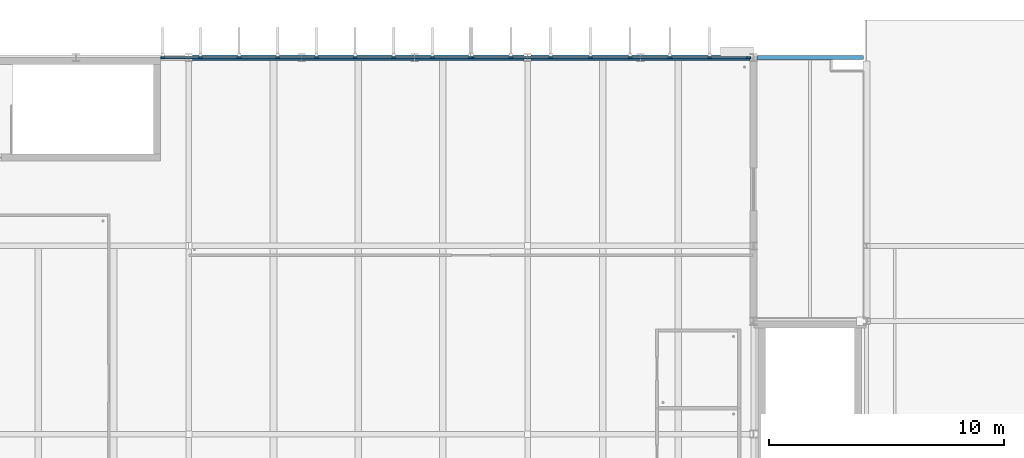
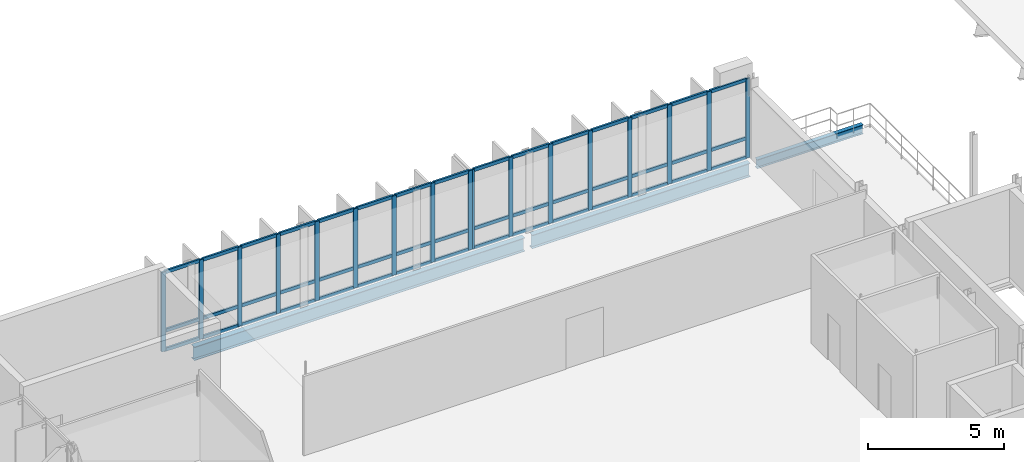
# One storey, part 11 of 22: 62 members, 3 beams, 2 elements without a shape of their own.
"""IFC4 building model written with IfcOpenShell, lengths in metres."""

from ifc_helpers import new_model, si_unit, direction, frame, origin, origin_2d, place, context, subcontext, project, spatial, rectangle, i_section, extrude, material, material_profile, profile_set, type_object, element, aggregate, save


model = new_model("IFC4")

# Units and contexts
model_context = context("Model", 3, precision=1e-05, world=origin(), true_north=direction((0.0, 1.0)))
body_context = subcontext(model_context, "Body", "Model", "MODEL_VIEW")
ifc_project = project(units=[si_unit("LENGTHUNIT", "METRE"), si_unit("AREAUNIT", "SQUARE_METRE"), si_unit("VOLUMEUNIT", "CUBIC_METRE"), si_unit("PLANEANGLEUNIT", "RADIAN"), si_unit("MASSUNIT", "GRAM", prefix="KILO")], contexts=[model_context])

# Site, building, storey
site_placement = place(None, origin())
site = spatial("IfcSite", under=ifc_project, at=site_placement, CompositionType="ELEMENT")
building_placement = place(site_placement, origin())
building = spatial("IfcBuilding", under=site, at=building_placement, Name="Dunescarp Central Library", CompositionType="ELEMENT")
storey_placement = place(building_placement, frame((0.0, 0.0, 27.60009765625)))
storey = spatial("IfcBuildingStorey", under=building, at=storey_placement, Name="L06", CompositionType="ELEMENT", Elevation=27.60009765625)

# Curtain wall, members
ifc_material_1 = material(Name="Marine-grade anodised aluminium 6063-T6", Category="aluminium")
curtain_wall_type = type_object("IfcCurtainWallType", Name="ARC-CW-STICK", PredefinedType="NOTDEFINED", material=ifc_material_1)
curtain_wall_1_placement = place(storey_placement, origin())
curtain_wall_1 = element("IfcCurtainWall", 1, at=curtain_wall_1_placement, inside=storey, type_object=curtain_wall_type, Name="L06 curtain wall CW-V1-040", PredefinedType="NOTDEFINED")
ifc_material_profile_1 = material_profile(ifc_material_1, rectangle(XDim=0.080078125, YDim=0.179931640625, at=origin_2d()), Name="AL 80x180")
ifc_profile_set_1 = profile_set([ifc_material_profile_1], Name="Marine-grade anodised aluminium 6063-T6")
member_type_1 = type_object("IfcMemberType", Name="ARC-CWM-180", PredefinedType="MULLION", material=ifc_profile_set_1)
member_1_placement = place(storey_placement, frame((21.639892578125, 36.800048828125, 0.0), z_axis=(0.0, 0.0, 1.0), x_axis=(0.0, 1.0, 0.0)))
member_1 = element("IfcMember", 2, at=member_1_placement, type_object=member_type_1, Name="CW-V1-040 mullion 1", PredefinedType="MULLION", context=body_context, shape_type="SweptSolid", body=[
    extrude(rectangle(XDim=0.080078125, YDim=0.179931640625, at=origin_2d()), origin(), (0.0, 0.0, 1.0), 3.574951171875),
])
member_2_placement = place(storey_placement, frame((23.289306640625, 36.800048828125, 0.0), z_axis=(0.0, 0.0, 1.0), x_axis=(0.0, 1.0, 0.0)))
member_2 = element("IfcMember", 3, at=member_2_placement, type_object=member_type_1, Name="CW-V1-040 mullion 2", PredefinedType="MULLION", context=body_context, shape_type="SweptSolid", body=[
    extrude(rectangle(XDim=0.080078125, YDim=0.179931640625, at=origin_2d()), origin(), (0.0, 0.0, 1.0), 3.574951171875),
])
member_3_placement = place(storey_placement, frame((24.978515625, 36.800048828125, 0.0), z_axis=(0.0, 0.0, 1.0), x_axis=(0.0, 1.0, 0.0)))
member_3 = element("IfcMember", 4, at=member_3_placement, type_object=member_type_1, Name="CW-V1-040 mullion 3", PredefinedType="MULLION", context=body_context, shape_type="SweptSolid", body=[
    extrude(rectangle(XDim=0.080078125, YDim=0.179931640625, at=origin_2d()), origin(), (0.0, 0.0, 1.0), 3.574951171875),
])
member_4_placement = place(storey_placement, frame((26.66796875, 36.800048828125, 0.0), z_axis=(0.0, 0.0, 1.0), x_axis=(0.0, 1.0, 0.0)))
member_4 = element("IfcMember", 5, at=member_4_placement, type_object=member_type_1, Name="CW-V1-040 mullion 4", PredefinedType="MULLION", context=body_context, shape_type="SweptSolid", body=[
    extrude(rectangle(XDim=0.080078125, YDim=0.179931640625, at=origin_2d()), origin(), (0.0, 0.0, 1.0), 3.574951171875),
])
member_5_placement = place(storey_placement, frame((28.357177734375, 36.800048828125, 0.0), z_axis=(0.0, 0.0, 1.0), x_axis=(0.0, 1.0, 0.0)))
member_5 = element("IfcMember", 6, at=member_5_placement, type_object=member_type_1, Name="CW-V1-040 mullion 5", PredefinedType="MULLION", context=body_context, shape_type="SweptSolid", body=[
    extrude(rectangle(XDim=0.080078125, YDim=0.179931640625, at=origin_2d()), origin(), (0.0, 0.0, 1.0), 3.574951171875),
])
member_6_placement = place(storey_placement, frame((30.04638671875, 36.800048828125, 0.0), z_axis=(0.0, 0.0, 1.0), x_axis=(0.0, 1.0, 0.0)))
member_6 = element("IfcMember", 7, at=member_6_placement, type_object=member_type_1, Name="CW-V1-040 mullion 6", PredefinedType="MULLION", context=body_context, shape_type="SweptSolid", body=[
    extrude(rectangle(XDim=0.080078125, YDim=0.179931640625, at=origin_2d()), origin(), (0.0, 0.0, 1.0), 3.574951171875),
])
member_7_placement = place(storey_placement, frame((31.735595703125, 36.800048828125, 0.0), z_axis=(0.0, 0.0, 1.0), x_axis=(0.0, 1.0, 0.0)))
member_7 = element("IfcMember", 8, at=member_7_placement, type_object=member_type_1, Name="CW-V1-040 mullion 7", PredefinedType="MULLION", context=body_context, shape_type="SweptSolid", body=[
    extrude(rectangle(XDim=0.080078125, YDim=0.179931640625, at=origin_2d()), origin(), (0.0, 0.0, 1.0), 3.574951171875),
])
member_8_placement = place(storey_placement, frame((33.385009765625, 36.800048828125, 0.0), z_axis=(0.0, 0.0, 1.0), x_axis=(0.0, 1.0, 0.0)))
member_8 = element("IfcMember", 9, at=member_8_placement, type_object=member_type_1, Name="CW-V1-040 mullion 8", PredefinedType="MULLION", context=body_context, shape_type="SweptSolid", body=[
    extrude(rectangle(XDim=0.080078125, YDim=0.179931640625, at=origin_2d()), origin(), (0.0, 0.0, 1.0), 3.574951171875),
])

curtain_wall_2_placement = place(storey_placement, origin())
curtain_wall_2 = element("IfcCurtainWall", 10, at=curtain_wall_2_placement, inside=storey, type_object=curtain_wall_type, Name="L06 curtain wall CW-V1-041", PredefinedType="NOTDEFINED")
member_9_placement = place(storey_placement, frame((8.489990234375, 36.800048828125, 0.0), z_axis=(0.0, 0.0, 1.0), x_axis=(0.0, 1.0, 0.0)))
member_9 = element("IfcMember", 11, at=member_9_placement, type_object=member_type_1, Name="CW-V1-041 mullion 1", PredefinedType="MULLION", context=body_context, shape_type="SweptSolid", body=[
    extrude(rectangle(XDim=0.080078125, YDim=0.179931640625, at=origin_2d()), origin(), (0.0, 0.0, 1.0), 3.574951171875),
])
member_10_placement = place(storey_placement, frame((10.09375, 36.800048828125, 0.0), z_axis=(0.0, 0.0, 1.0), x_axis=(0.0, 1.0, 0.0)))
member_10 = element("IfcMember", 12, at=member_10_placement, type_object=member_type_1, Name="CW-V1-041 mullion 2", PredefinedType="MULLION", context=body_context, shape_type="SweptSolid", body=[
    extrude(rectangle(XDim=0.080078125, YDim=0.179931640625, at=origin_2d()), origin(), (0.0, 0.0, 1.0), 3.574951171875),
])
member_11_placement = place(storey_placement, frame((11.737548828125, 36.800048828125, 0.0), z_axis=(0.0, 0.0, 1.0), x_axis=(0.0, 1.0, 0.0)))
member_11 = element("IfcMember", 13, at=member_11_placement, type_object=member_type_1, Name="CW-V1-041 mullion 3", PredefinedType="MULLION", context=body_context, shape_type="SweptSolid", body=[
    extrude(rectangle(XDim=0.080078125, YDim=0.179931640625, at=origin_2d()), origin(), (0.0, 0.0, 1.0), 3.574951171875),
])
member_12_placement = place(storey_placement, frame((13.38134765625, 36.800048828125, 0.0), z_axis=(0.0, 0.0, 1.0), x_axis=(0.0, 1.0, 0.0)))
member_12 = element("IfcMember", 14, at=member_12_placement, type_object=member_type_1, Name="CW-V1-041 mullion 4", PredefinedType="MULLION", context=body_context, shape_type="SweptSolid", body=[
    extrude(rectangle(XDim=0.080078125, YDim=0.179931640625, at=origin_2d()), origin(), (0.0, 0.0, 1.0), 3.574951171875),
])
member_13_placement = place(storey_placement, frame((15.02490234375, 36.800048828125, 0.0), z_axis=(0.0, 0.0, 1.0), x_axis=(0.0, 1.0, 0.0)))
member_13 = element("IfcMember", 15, at=member_13_placement, type_object=member_type_1, Name="CW-V1-041 mullion 5", PredefinedType="MULLION", context=body_context, shape_type="SweptSolid", body=[
    extrude(rectangle(XDim=0.080078125, YDim=0.179931640625, at=origin_2d()), origin(), (0.0, 0.0, 1.0), 3.574951171875),
])
member_14_placement = place(storey_placement, frame((16.668701171875, 36.800048828125, 0.0), z_axis=(0.0, 0.0, 1.0), x_axis=(0.0, 1.0, 0.0)))
member_14 = element("IfcMember", 16, at=member_14_placement, type_object=member_type_1, Name="CW-V1-041 mullion 6", PredefinedType="MULLION", context=body_context, shape_type="SweptSolid", body=[
    extrude(rectangle(XDim=0.080078125, YDim=0.179931640625, at=origin_2d()), origin(), (0.0, 0.0, 1.0), 3.574951171875),
])
member_15_placement = place(storey_placement, frame((18.3125, 36.800048828125, 0.0), z_axis=(0.0, 0.0, 1.0), x_axis=(0.0, 1.0, 0.0)))
member_15 = element("IfcMember", 17, at=member_15_placement, type_object=member_type_1, Name="CW-V1-041 mullion 7", PredefinedType="MULLION", context=body_context, shape_type="SweptSolid", body=[
    extrude(rectangle(XDim=0.080078125, YDim=0.179931640625, at=origin_2d()), origin(), (0.0, 0.0, 1.0), 3.574951171875),
])
member_16_placement = place(storey_placement, frame((19.956298828125, 36.800048828125, 0.0), z_axis=(0.0, 0.0, 1.0), x_axis=(0.0, 1.0, 0.0)))
member_16 = element("IfcMember", 18, at=member_16_placement, type_object=member_type_1, Name="CW-V1-041 mullion 8", PredefinedType="MULLION", context=body_context, shape_type="SweptSolid", body=[
    extrude(rectangle(XDim=0.080078125, YDim=0.179931640625, at=origin_2d()), origin(), (0.0, 0.0, 1.0), 3.574951171875),
])
member_17_placement = place(storey_placement, frame((21.56005859375, 36.800048828125, 0.0), z_axis=(0.0, 0.0, 1.0), x_axis=(0.0, 1.0, 0.0)))
member_17 = element("IfcMember", 19, at=member_17_placement, type_object=member_type_1, Name="CW-V1-041 mullion 9", PredefinedType="MULLION", context=body_context, shape_type="SweptSolid", body=[
    extrude(rectangle(XDim=0.080078125, YDim=0.179931640625, at=origin_2d()), origin(), (0.0, 0.0, 1.0), 3.574951171875),
])

# Member
ifc_material_profile_2 = material_profile(ifc_material_1, rectangle(XDim=0.080078125, YDim=0.14990234375, at=origin_2d()), Name="AL 80x150")
ifc_profile_set_2 = profile_set([ifc_material_profile_2], Name="Marine-grade anodised aluminium 6063-T6")
member_type_2 = type_object("IfcMemberType", Name="ARC-CWT-150", PredefinedType="USERDEFINED", material=ifc_profile_set_2)
member_18_placement = place(storey_placement, frame((21.679931640625, 36.800048828125, 0.039794921875), z_axis=(1.0, 0.0, 0.0), x_axis=(0.0, 1.0, 0.0)))
member_18 = element("IfcMember", 20, at=member_18_placement, type_object=member_type_2, Name="CW-V1-040 transom 1.1", ObjectType="TRANSOM", PredefinedType="USERDEFINED", context=body_context, shape_type="SweptSolid", body=[
    extrude(rectangle(XDim=0.080078125, YDim=0.14990234375, at=origin_2d()), origin(), (0.0, 0.0, 1.0), 1.5693359375),
])

member_19_placement = place(storey_placement, frame((21.679931640625, 36.800048828125, 0.89990234375), z_axis=(1.0, 0.0, 0.0), x_axis=(0.0, 1.0, 0.0)))
member_19 = element("IfcMember", 21, at=member_19_placement, type_object=member_type_2, Name="CW-V1-040 transom 1.2", ObjectType="TRANSOM", PredefinedType="USERDEFINED", context=body_context, shape_type="SweptSolid", body=[
    extrude(rectangle(XDim=0.080078125, YDim=0.14990234375, at=origin_2d()), origin(), (0.0, 0.0, 1.0), 1.5693359375),
])

member_20_placement = place(storey_placement, frame((21.679931640625, 36.800048828125, 3.534912109375), z_axis=(1.0, 0.0, 0.0), x_axis=(0.0, 1.0, 0.0)))
member_20 = element("IfcMember", 22, at=member_20_placement, type_object=member_type_2, Name="CW-V1-040 transom 1.3", ObjectType="TRANSOM", PredefinedType="USERDEFINED", context=body_context, shape_type="SweptSolid", body=[
    extrude(rectangle(XDim=0.080078125, YDim=0.14990234375, at=origin_2d()), origin(), (0.0, 0.0, 1.0), 1.5693359375),
])

member_21_placement = place(storey_placement, frame((23.329345703125, 36.800048828125, 0.039794921875), z_axis=(1.0, 0.0, 0.0), x_axis=(0.0, 1.0, 0.0)))
member_21 = element("IfcMember", 23, at=member_21_placement, type_object=member_type_2, Name="CW-V1-040 transom 2.1", ObjectType="TRANSOM", PredefinedType="USERDEFINED", context=body_context, shape_type="SweptSolid", body=[
    extrude(rectangle(XDim=0.080078125, YDim=0.14990234375, at=origin_2d()), origin(), (0.0, 0.0, 1.0), 1.609130859375),
])

member_22_placement = place(storey_placement, frame((23.329345703125, 36.800048828125, 0.89990234375), z_axis=(1.0, 0.0, 0.0), x_axis=(0.0, 1.0, 0.0)))
member_22 = element("IfcMember", 24, at=member_22_placement, type_object=member_type_2, Name="CW-V1-040 transom 2.2", ObjectType="TRANSOM", PredefinedType="USERDEFINED", context=body_context, shape_type="SweptSolid", body=[
    extrude(rectangle(XDim=0.080078125, YDim=0.14990234375, at=origin_2d()), origin(), (0.0, 0.0, 1.0), 1.609130859375),
])

member_23_placement = place(storey_placement, frame((23.329345703125, 36.800048828125, 3.534912109375), z_axis=(1.0, 0.0, 0.0), x_axis=(0.0, 1.0, 0.0)))
member_23 = element("IfcMember", 25, at=member_23_placement, type_object=member_type_2, Name="CW-V1-040 transom 2.3", ObjectType="TRANSOM", PredefinedType="USERDEFINED", context=body_context, shape_type="SweptSolid", body=[
    extrude(rectangle(XDim=0.080078125, YDim=0.14990234375, at=origin_2d()), origin(), (0.0, 0.0, 1.0), 1.609130859375),
])

member_24_placement = place(storey_placement, frame((25.0185546875, 36.800048828125, 0.039794921875), z_axis=(1.0, 0.0, 0.0), x_axis=(0.0, 1.0, 0.0)))
member_24 = element("IfcMember", 26, at=member_24_placement, type_object=member_type_2, Name="CW-V1-040 transom 3.1", ObjectType="TRANSOM", PredefinedType="USERDEFINED", context=body_context, shape_type="SweptSolid", body=[
    extrude(rectangle(XDim=0.080078125, YDim=0.14990234375, at=origin_2d()), origin(), (0.0, 0.0, 1.0), 1.609375),
])

member_25_placement = place(storey_placement, frame((25.0185546875, 36.800048828125, 0.89990234375), z_axis=(1.0, 0.0, 0.0), x_axis=(0.0, 1.0, 0.0)))
member_25 = element("IfcMember", 27, at=member_25_placement, type_object=member_type_2, Name="CW-V1-040 transom 3.2", ObjectType="TRANSOM", PredefinedType="USERDEFINED", context=body_context, shape_type="SweptSolid", body=[
    extrude(rectangle(XDim=0.080078125, YDim=0.14990234375, at=origin_2d()), origin(), (0.0, 0.0, 1.0), 1.609375),
])

member_26_placement = place(storey_placement, frame((25.0185546875, 36.800048828125, 3.534912109375), z_axis=(1.0, 0.0, 0.0), x_axis=(0.0, 1.0, 0.0)))
member_26 = element("IfcMember", 28, at=member_26_placement, type_object=member_type_2, Name="CW-V1-040 transom 3.3", ObjectType="TRANSOM", PredefinedType="USERDEFINED", context=body_context, shape_type="SweptSolid", body=[
    extrude(rectangle(XDim=0.080078125, YDim=0.14990234375, at=origin_2d()), origin(), (0.0, 0.0, 1.0), 1.609375),
])

member_27_placement = place(storey_placement, frame((26.707763671875, 36.800048828125, 0.039794921875), z_axis=(1.0, 0.0, 0.0), x_axis=(0.0, 1.0, 0.0)))
member_27 = element("IfcMember", 29, at=member_27_placement, type_object=member_type_2, Name="CW-V1-040 transom 4.1", ObjectType="TRANSOM", PredefinedType="USERDEFINED", context=body_context, shape_type="SweptSolid", body=[
    extrude(rectangle(XDim=0.080078125, YDim=0.14990234375, at=origin_2d()), origin(), (0.0, 0.0, 1.0), 1.609375),
])

member_28_placement = place(storey_placement, frame((26.707763671875, 36.800048828125, 0.89990234375), z_axis=(1.0, 0.0, 0.0), x_axis=(0.0, 1.0, 0.0)))
member_28 = element("IfcMember", 30, at=member_28_placement, type_object=member_type_2, Name="CW-V1-040 transom 4.2", ObjectType="TRANSOM", PredefinedType="USERDEFINED", context=body_context, shape_type="SweptSolid", body=[
    extrude(rectangle(XDim=0.080078125, YDim=0.14990234375, at=origin_2d()), origin(), (0.0, 0.0, 1.0), 1.609375),
])

member_29_placement = place(storey_placement, frame((26.707763671875, 36.800048828125, 3.534912109375), z_axis=(1.0, 0.0, 0.0), x_axis=(0.0, 1.0, 0.0)))
member_29 = element("IfcMember", 31, at=member_29_placement, type_object=member_type_2, Name="CW-V1-040 transom 4.3", ObjectType="TRANSOM", PredefinedType="USERDEFINED", context=body_context, shape_type="SweptSolid", body=[
    extrude(rectangle(XDim=0.080078125, YDim=0.14990234375, at=origin_2d()), origin(), (0.0, 0.0, 1.0), 1.609375),
])

member_30_placement = place(storey_placement, frame((28.397216796875, 36.800048828125, 0.039794921875), z_axis=(1.0, 0.0, 0.0), x_axis=(0.0, 1.0, 0.0)))
member_30 = element("IfcMember", 32, at=member_30_placement, type_object=member_type_2, Name="CW-V1-040 transom 5.1", ObjectType="TRANSOM", PredefinedType="USERDEFINED", context=body_context, shape_type="SweptSolid", body=[
    extrude(rectangle(XDim=0.080078125, YDim=0.14990234375, at=origin_2d()), origin(), (0.0, 0.0, 1.0), 1.609130859375),
])

member_31_placement = place(storey_placement, frame((28.397216796875, 36.800048828125, 0.89990234375), z_axis=(1.0, 0.0, 0.0), x_axis=(0.0, 1.0, 0.0)))
member_31 = element("IfcMember", 33, at=member_31_placement, type_object=member_type_2, Name="CW-V1-040 transom 5.2", ObjectType="TRANSOM", PredefinedType="USERDEFINED", context=body_context, shape_type="SweptSolid", body=[
    extrude(rectangle(XDim=0.080078125, YDim=0.14990234375, at=origin_2d()), origin(), (0.0, 0.0, 1.0), 1.609130859375),
])

member_32_placement = place(storey_placement, frame((28.397216796875, 36.800048828125, 3.534912109375), z_axis=(1.0, 0.0, 0.0), x_axis=(0.0, 1.0, 0.0)))
member_32 = element("IfcMember", 34, at=member_32_placement, type_object=member_type_2, Name="CW-V1-040 transom 5.3", ObjectType="TRANSOM", PredefinedType="USERDEFINED", context=body_context, shape_type="SweptSolid", body=[
    extrude(rectangle(XDim=0.080078125, YDim=0.14990234375, at=origin_2d()), origin(), (0.0, 0.0, 1.0), 1.609130859375),
])

member_33_placement = place(storey_placement, frame((30.08642578125, 36.800048828125, 0.039794921875), z_axis=(1.0, 0.0, 0.0), x_axis=(0.0, 1.0, 0.0)))
member_33 = element("IfcMember", 35, at=member_33_placement, type_object=member_type_2, Name="CW-V1-040 transom 6.1", ObjectType="TRANSOM", PredefinedType="USERDEFINED", context=body_context, shape_type="SweptSolid", body=[
    extrude(rectangle(XDim=0.080078125, YDim=0.14990234375, at=origin_2d()), origin(), (0.0, 0.0, 1.0), 1.609375),
])

member_34_placement = place(storey_placement, frame((30.08642578125, 36.800048828125, 0.89990234375), z_axis=(1.0, 0.0, 0.0), x_axis=(0.0, 1.0, 0.0)))
member_34 = element("IfcMember", 36, at=member_34_placement, type_object=member_type_2, Name="CW-V1-040 transom 6.2", ObjectType="TRANSOM", PredefinedType="USERDEFINED", context=body_context, shape_type="SweptSolid", body=[
    extrude(rectangle(XDim=0.080078125, YDim=0.14990234375, at=origin_2d()), origin(), (0.0, 0.0, 1.0), 1.609375),
])

member_35_placement = place(storey_placement, frame((30.08642578125, 36.800048828125, 3.534912109375), z_axis=(1.0, 0.0, 0.0), x_axis=(0.0, 1.0, 0.0)))
member_35 = element("IfcMember", 37, at=member_35_placement, type_object=member_type_2, Name="CW-V1-040 transom 6.3", ObjectType="TRANSOM", PredefinedType="USERDEFINED", context=body_context, shape_type="SweptSolid", body=[
    extrude(rectangle(XDim=0.080078125, YDim=0.14990234375, at=origin_2d()), origin(), (0.0, 0.0, 1.0), 1.609375),
])

member_36_placement = place(storey_placement, frame((31.775634765625, 36.800048828125, 0.039794921875), z_axis=(1.0, 0.0, 0.0), x_axis=(0.0, 1.0, 0.0)))
member_36 = element("IfcMember", 38, at=member_36_placement, type_object=member_type_2, Name="CW-V1-040 transom 7.1", ObjectType="TRANSOM", PredefinedType="USERDEFINED", context=body_context, shape_type="SweptSolid", body=[
    extrude(rectangle(XDim=0.080078125, YDim=0.14990234375, at=origin_2d()), origin(), (0.0, 0.0, 1.0), 1.5693359375),
])

member_37_placement = place(storey_placement, frame((31.775634765625, 36.800048828125, 0.89990234375), z_axis=(1.0, 0.0, 0.0), x_axis=(0.0, 1.0, 0.0)))
member_37 = element("IfcMember", 39, at=member_37_placement, type_object=member_type_2, Name="CW-V1-040 transom 7.2", ObjectType="TRANSOM", PredefinedType="USERDEFINED", context=body_context, shape_type="SweptSolid", body=[
    extrude(rectangle(XDim=0.080078125, YDim=0.14990234375, at=origin_2d()), origin(), (0.0, 0.0, 1.0), 1.5693359375),
])

member_38_placement = place(storey_placement, frame((31.775634765625, 36.800048828125, 3.534912109375), z_axis=(1.0, 0.0, 0.0), x_axis=(0.0, 1.0, 0.0)))
member_38 = element("IfcMember", 40, at=member_38_placement, type_object=member_type_2, Name="CW-V1-040 transom 7.3", ObjectType="TRANSOM", PredefinedType="USERDEFINED", context=body_context, shape_type="SweptSolid", body=[
    extrude(rectangle(XDim=0.080078125, YDim=0.14990234375, at=origin_2d()), origin(), (0.0, 0.0, 1.0), 1.5693359375),
])

aggregate(curtain_wall_1, [member_1, member_2, member_3, member_4, member_5, member_6, member_7, member_8, member_18, member_19, member_20, member_21, member_22, member_23, member_24, member_25, member_26, member_27, member_28, member_29, member_30, member_31, member_32, member_33, member_34, member_35, member_36, member_37, member_38])

member_39_placement = place(storey_placement, frame((8.530029296875, 36.800048828125, 0.039794921875), z_axis=(1.0, 0.0, 0.0), x_axis=(0.0, 1.0, 0.0)))
member_39 = element("IfcMember", 41, at=member_39_placement, type_object=member_type_2, Name="CW-V1-041 transom 1.1", ObjectType="TRANSOM", PredefinedType="USERDEFINED", context=body_context, shape_type="SweptSolid", body=[
    extrude(rectangle(XDim=0.080078125, YDim=0.14990234375, at=origin_2d()), origin(), (0.0, 0.0, 1.0), 1.523681640625),
])

member_40_placement = place(storey_placement, frame((8.530029296875, 36.800048828125, 0.89990234375), z_axis=(1.0, 0.0, 0.0), x_axis=(0.0, 1.0, 0.0)))
member_40 = element("IfcMember", 42, at=member_40_placement, type_object=member_type_2, Name="CW-V1-041 transom 1.2", ObjectType="TRANSOM", PredefinedType="USERDEFINED", context=body_context, shape_type="SweptSolid", body=[
    extrude(rectangle(XDim=0.080078125, YDim=0.14990234375, at=origin_2d()), origin(), (0.0, 0.0, 1.0), 1.523681640625),
])

member_41_placement = place(storey_placement, frame((8.530029296875, 36.800048828125, 3.534912109375), z_axis=(1.0, 0.0, 0.0), x_axis=(0.0, 1.0, 0.0)))
member_41 = element("IfcMember", 43, at=member_41_placement, type_object=member_type_2, Name="CW-V1-041 transom 1.3", ObjectType="TRANSOM", PredefinedType="USERDEFINED", context=body_context, shape_type="SweptSolid", body=[
    extrude(rectangle(XDim=0.080078125, YDim=0.14990234375, at=origin_2d()), origin(), (0.0, 0.0, 1.0), 1.523681640625),
])

member_42_placement = place(storey_placement, frame((10.1337890625, 36.800048828125, 0.039794921875), z_axis=(1.0, 0.0, 0.0), x_axis=(0.0, 1.0, 0.0)))
member_42 = element("IfcMember", 44, at=member_42_placement, type_object=member_type_2, Name="CW-V1-041 transom 2.1", ObjectType="TRANSOM", PredefinedType="USERDEFINED", context=body_context, shape_type="SweptSolid", body=[
    extrude(rectangle(XDim=0.080078125, YDim=0.14990234375, at=origin_2d()), origin(), (0.0, 0.0, 1.0), 1.563720703125),
])

member_43_placement = place(storey_placement, frame((10.1337890625, 36.800048828125, 0.89990234375), z_axis=(1.0, 0.0, 0.0), x_axis=(0.0, 1.0, 0.0)))
member_43 = element("IfcMember", 45, at=member_43_placement, type_object=member_type_2, Name="CW-V1-041 transom 2.2", ObjectType="TRANSOM", PredefinedType="USERDEFINED", context=body_context, shape_type="SweptSolid", body=[
    extrude(rectangle(XDim=0.080078125, YDim=0.14990234375, at=origin_2d()), origin(), (0.0, 0.0, 1.0), 1.563720703125),
])

member_44_placement = place(storey_placement, frame((10.1337890625, 36.800048828125, 3.534912109375), z_axis=(1.0, 0.0, 0.0), x_axis=(0.0, 1.0, 0.0)))
member_44 = element("IfcMember", 46, at=member_44_placement, type_object=member_type_2, Name="CW-V1-041 transom 2.3", ObjectType="TRANSOM", PredefinedType="USERDEFINED", context=body_context, shape_type="SweptSolid", body=[
    extrude(rectangle(XDim=0.080078125, YDim=0.14990234375, at=origin_2d()), origin(), (0.0, 0.0, 1.0), 1.563720703125),
])

member_45_placement = place(storey_placement, frame((11.777587890625, 36.800048828125, 0.039794921875), z_axis=(1.0, 0.0, 0.0), x_axis=(0.0, 1.0, 0.0)))
member_45 = element("IfcMember", 47, at=member_45_placement, type_object=member_type_2, Name="CW-V1-041 transom 3.1", ObjectType="TRANSOM", PredefinedType="USERDEFINED", context=body_context, shape_type="SweptSolid", body=[
    extrude(rectangle(XDim=0.080078125, YDim=0.14990234375, at=origin_2d()), origin(), (0.0, 0.0, 1.0), 1.563720703125),
])

member_46_placement = place(storey_placement, frame((11.777587890625, 36.800048828125, 0.89990234375), z_axis=(1.0, 0.0, 0.0), x_axis=(0.0, 1.0, 0.0)))
member_46 = element("IfcMember", 48, at=member_46_placement, type_object=member_type_2, Name="CW-V1-041 transom 3.2", ObjectType="TRANSOM", PredefinedType="USERDEFINED", context=body_context, shape_type="SweptSolid", body=[
    extrude(rectangle(XDim=0.080078125, YDim=0.14990234375, at=origin_2d()), origin(), (0.0, 0.0, 1.0), 1.563720703125),
])

member_47_placement = place(storey_placement, frame((11.777587890625, 36.800048828125, 3.534912109375), z_axis=(1.0, 0.0, 0.0), x_axis=(0.0, 1.0, 0.0)))
member_47 = element("IfcMember", 49, at=member_47_placement, type_object=member_type_2, Name="CW-V1-041 transom 3.3", ObjectType="TRANSOM", PredefinedType="USERDEFINED", context=body_context, shape_type="SweptSolid", body=[
    extrude(rectangle(XDim=0.080078125, YDim=0.14990234375, at=origin_2d()), origin(), (0.0, 0.0, 1.0), 1.563720703125),
])

member_48_placement = place(storey_placement, frame((13.421142578125, 36.800048828125, 0.039794921875), z_axis=(1.0, 0.0, 0.0), x_axis=(0.0, 1.0, 0.0)))
member_48 = element("IfcMember", 50, at=member_48_placement, type_object=member_type_2, Name="CW-V1-041 transom 4.1", ObjectType="TRANSOM", PredefinedType="USERDEFINED", context=body_context, shape_type="SweptSolid", body=[
    extrude(rectangle(XDim=0.080078125, YDim=0.14990234375, at=origin_2d()), origin(), (0.0, 0.0, 1.0), 1.56396484375),
])

member_49_placement = place(storey_placement, frame((13.421142578125, 36.800048828125, 0.89990234375), z_axis=(1.0, 0.0, 0.0), x_axis=(0.0, 1.0, 0.0)))
member_49 = element("IfcMember", 51, at=member_49_placement, type_object=member_type_2, Name="CW-V1-041 transom 4.2", ObjectType="TRANSOM", PredefinedType="USERDEFINED", context=body_context, shape_type="SweptSolid", body=[
    extrude(rectangle(XDim=0.080078125, YDim=0.14990234375, at=origin_2d()), origin(), (0.0, 0.0, 1.0), 1.56396484375),
])

member_50_placement = place(storey_placement, frame((13.421142578125, 36.800048828125, 3.534912109375), z_axis=(1.0, 0.0, 0.0), x_axis=(0.0, 1.0, 0.0)))
member_50 = element("IfcMember", 52, at=member_50_placement, type_object=member_type_2, Name="CW-V1-041 transom 4.3", ObjectType="TRANSOM", PredefinedType="USERDEFINED", context=body_context, shape_type="SweptSolid", body=[
    extrude(rectangle(XDim=0.080078125, YDim=0.14990234375, at=origin_2d()), origin(), (0.0, 0.0, 1.0), 1.56396484375),
])

member_51_placement = place(storey_placement, frame((15.06494140625, 36.800048828125, 0.039794921875), z_axis=(1.0, 0.0, 0.0), x_axis=(0.0, 1.0, 0.0)))
member_51 = element("IfcMember", 53, at=member_51_placement, type_object=member_type_2, Name="CW-V1-041 transom 5.1", ObjectType="TRANSOM", PredefinedType="USERDEFINED", context=body_context, shape_type="SweptSolid", body=[
    extrude(rectangle(XDim=0.080078125, YDim=0.14990234375, at=origin_2d()), origin(), (0.0, 0.0, 1.0), 1.563720703125),
])

member_52_placement = place(storey_placement, frame((15.06494140625, 36.800048828125, 0.89990234375), z_axis=(1.0, 0.0, 0.0), x_axis=(0.0, 1.0, 0.0)))
member_52 = element("IfcMember", 54, at=member_52_placement, type_object=member_type_2, Name="CW-V1-041 transom 5.2", ObjectType="TRANSOM", PredefinedType="USERDEFINED", context=body_context, shape_type="SweptSolid", body=[
    extrude(rectangle(XDim=0.080078125, YDim=0.14990234375, at=origin_2d()), origin(), (0.0, 0.0, 1.0), 1.563720703125),
])

member_53_placement = place(storey_placement, frame((15.06494140625, 36.800048828125, 3.534912109375), z_axis=(1.0, 0.0, 0.0), x_axis=(0.0, 1.0, 0.0)))
member_53 = element("IfcMember", 55, at=member_53_placement, type_object=member_type_2, Name="CW-V1-041 transom 5.3", ObjectType="TRANSOM", PredefinedType="USERDEFINED", context=body_context, shape_type="SweptSolid", body=[
    extrude(rectangle(XDim=0.080078125, YDim=0.14990234375, at=origin_2d()), origin(), (0.0, 0.0, 1.0), 1.563720703125),
])

member_54_placement = place(storey_placement, frame((16.708740234375, 36.800048828125, 0.039794921875), z_axis=(1.0, 0.0, 0.0), x_axis=(0.0, 1.0, 0.0)))
member_54 = element("IfcMember", 56, at=member_54_placement, type_object=member_type_2, Name="CW-V1-041 transom 6.1", ObjectType="TRANSOM", PredefinedType="USERDEFINED", context=body_context, shape_type="SweptSolid", body=[
    extrude(rectangle(XDim=0.080078125, YDim=0.14990234375, at=origin_2d()), origin(), (0.0, 0.0, 1.0), 1.563720703125),
])

member_55_placement = place(storey_placement, frame((16.708740234375, 36.800048828125, 0.89990234375), z_axis=(1.0, 0.0, 0.0), x_axis=(0.0, 1.0, 0.0)))
member_55 = element("IfcMember", 57, at=member_55_placement, type_object=member_type_2, Name="CW-V1-041 transom 6.2", ObjectType="TRANSOM", PredefinedType="USERDEFINED", context=body_context, shape_type="SweptSolid", body=[
    extrude(rectangle(XDim=0.080078125, YDim=0.14990234375, at=origin_2d()), origin(), (0.0, 0.0, 1.0), 1.563720703125),
])

member_56_placement = place(storey_placement, frame((16.708740234375, 36.800048828125, 3.534912109375), z_axis=(1.0, 0.0, 0.0), x_axis=(0.0, 1.0, 0.0)))
member_56 = element("IfcMember", 58, at=member_56_placement, type_object=member_type_2, Name="CW-V1-041 transom 6.3", ObjectType="TRANSOM", PredefinedType="USERDEFINED", context=body_context, shape_type="SweptSolid", body=[
    extrude(rectangle(XDim=0.080078125, YDim=0.14990234375, at=origin_2d()), origin(), (0.0, 0.0, 1.0), 1.563720703125),
])

member_57_placement = place(storey_placement, frame((18.3525390625, 36.800048828125, 0.039794921875), z_axis=(1.0, 0.0, 0.0), x_axis=(0.0, 1.0, 0.0)))
member_57 = element("IfcMember", 59, at=member_57_placement, type_object=member_type_2, Name="CW-V1-041 transom 7.1", ObjectType="TRANSOM", PredefinedType="USERDEFINED", context=body_context, shape_type="SweptSolid", body=[
    extrude(rectangle(XDim=0.080078125, YDim=0.14990234375, at=origin_2d()), origin(), (0.0, 0.0, 1.0), 1.563720703125),
])

member_58_placement = place(storey_placement, frame((18.3525390625, 36.800048828125, 0.89990234375), z_axis=(1.0, 0.0, 0.0), x_axis=(0.0, 1.0, 0.0)))
member_58 = element("IfcMember", 60, at=member_58_placement, type_object=member_type_2, Name="CW-V1-041 transom 7.2", ObjectType="TRANSOM", PredefinedType="USERDEFINED", context=body_context, shape_type="SweptSolid", body=[
    extrude(rectangle(XDim=0.080078125, YDim=0.14990234375, at=origin_2d()), origin(), (0.0, 0.0, 1.0), 1.563720703125),
])

member_59_placement = place(storey_placement, frame((18.3525390625, 36.800048828125, 3.534912109375), z_axis=(1.0, 0.0, 0.0), x_axis=(0.0, 1.0, 0.0)))
member_59 = element("IfcMember", 61, at=member_59_placement, type_object=member_type_2, Name="CW-V1-041 transom 7.3", ObjectType="TRANSOM", PredefinedType="USERDEFINED", context=body_context, shape_type="SweptSolid", body=[
    extrude(rectangle(XDim=0.080078125, YDim=0.14990234375, at=origin_2d()), origin(), (0.0, 0.0, 1.0), 1.563720703125),
])

member_60_placement = place(storey_placement, frame((19.996337890625, 36.800048828125, 0.039794921875), z_axis=(1.0, 0.0, 0.0), x_axis=(0.0, 1.0, 0.0)))
member_60 = element("IfcMember", 62, at=member_60_placement, type_object=member_type_2, Name="CW-V1-041 transom 8.1", ObjectType="TRANSOM", PredefinedType="USERDEFINED", context=body_context, shape_type="SweptSolid", body=[
    extrude(rectangle(XDim=0.080078125, YDim=0.14990234375, at=origin_2d()), origin(), (0.0, 0.0, 1.0), 1.523681640625),
])

member_61_placement = place(storey_placement, frame((19.996337890625, 36.800048828125, 0.89990234375), z_axis=(1.0, 0.0, 0.0), x_axis=(0.0, 1.0, 0.0)))
member_61 = element("IfcMember", 63, at=member_61_placement, type_object=member_type_2, Name="CW-V1-041 transom 8.2", ObjectType="TRANSOM", PredefinedType="USERDEFINED", context=body_context, shape_type="SweptSolid", body=[
    extrude(rectangle(XDim=0.080078125, YDim=0.14990234375, at=origin_2d()), origin(), (0.0, 0.0, 1.0), 1.523681640625),
])

member_62_placement = place(storey_placement, frame((19.996337890625, 36.800048828125, 3.534912109375), z_axis=(1.0, 0.0, 0.0), x_axis=(0.0, 1.0, 0.0)))
member_62 = element("IfcMember", 64, at=member_62_placement, type_object=member_type_2, Name="CW-V1-041 transom 8.3", ObjectType="TRANSOM", PredefinedType="USERDEFINED", context=body_context, shape_type="SweptSolid", body=[
    extrude(rectangle(XDim=0.080078125, YDim=0.14990234375, at=origin_2d()), origin(), (0.0, 0.0, 1.0), 1.523681640625),
])

aggregate(curtain_wall_2, [member_9, member_10, member_11, member_12, member_13, member_14, member_15, member_16, member_17, member_39, member_40, member_41, member_42, member_43, member_44, member_45, member_46, member_47, member_48, member_49, member_50, member_51, member_52, member_53, member_54, member_55, member_56, member_57, member_58, member_59, member_60, member_61, member_62])

# Beams
ifc_material_2 = material(Name="Steel S355JR", Category="steel")
ifc_material_profile_3 = material_profile(ifc_material_2, i_section(OverallWidth=0.22900390625, OverallDepth=0.6123046875, WebThickness=0.011962890625, FlangeThickness=0.01953125, at=origin_2d()), Name="UB 610x229x125")
ifc_profile_set_3 = profile_set([ifc_material_profile_3], Name="Steel S355JR")
beam_type_1 = type_object("IfcBeamType", Name="STR-BM-UB610", PredefinedType="BEAM", material=ifc_profile_set_3)
beam_1_placement = place(storey_placement, frame((9.7529296875, 36.800048828125, -0.51611328125), z_axis=(1.0, 0.0, 0.0), x_axis=(0.0, 1.0, 0.0)))
element("IfcBeam", 65, at=beam_1_placement, inside=storey, type_object=beam_type_1, Name="L06 girder BM-L06-0311", PredefinedType="BEAM", context=body_context, shape_type="SweptSolid", body=[
    extrude(i_section(OverallWidth=0.22900390625, OverallDepth=0.6123046875, WebThickness=0.011962890625, FlangeThickness=0.01953125, at=origin_2d()), origin(), (0.0, 0.0, 1.0), 14.093994140625),
])
beam_2_placement = place(storey_placement, frame((24.153076171875, 36.800048828125, -0.51611328125), z_axis=(1.0, 0.0, 0.0), x_axis=(0.0, 1.0, 0.0)))
element("IfcBeam", 66, at=beam_2_placement, inside=storey, type_object=beam_type_1, Name="L06 girder BM-L06-0327", PredefinedType="BEAM", context=body_context, shape_type="SweptSolid", body=[
    extrude(i_section(OverallWidth=0.22900390625, OverallDepth=0.6123046875, WebThickness=0.011962890625, FlangeThickness=0.01953125, at=origin_2d()), origin(), (0.0, 0.0, 1.0), 9.2939453125),
])
ifc_material_profile_4 = material_profile(ifc_material_2, i_section(OverallWidth=0.177978515625, OverallDepth=0.406494140625, WebThickness=0.0078125, FlangeThickness=0.0126953125, at=origin_2d()), Name="UB 406x178x60")
ifc_profile_set_4 = profile_set([ifc_material_profile_4], Name="Steel S355JR")
beam_type_2 = type_object("IfcBeamType", Name="STR-SP-UB406", PredefinedType="SPANDREL", material=ifc_profile_set_4)
beam_3_placement = place(storey_placement, frame((33.7529296875, 36.800048828125, -0.39306640625), z_axis=(1.0, 0.0, 0.0), x_axis=(0.0, 1.0, 0.0)))
element("IfcBeam", 67, at=beam_3_placement, inside=storey, type_object=beam_type_2, Name="L06 girder BM-L06-1528", PredefinedType="SPANDREL", context=body_context, shape_type="SweptSolid", body=[
    extrude(i_section(OverallWidth=0.177978515625, OverallDepth=0.406494140625, WebThickness=0.0078125, FlangeThickness=0.0126953125, at=origin_2d()), origin(), (0.0, 0.0, 1.0), 4.51904296875),
])

save(model, "model.ifc")
